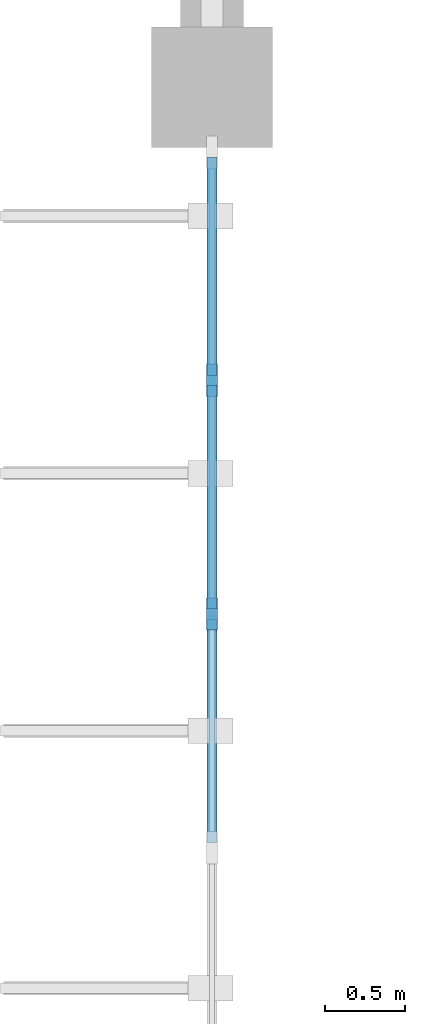
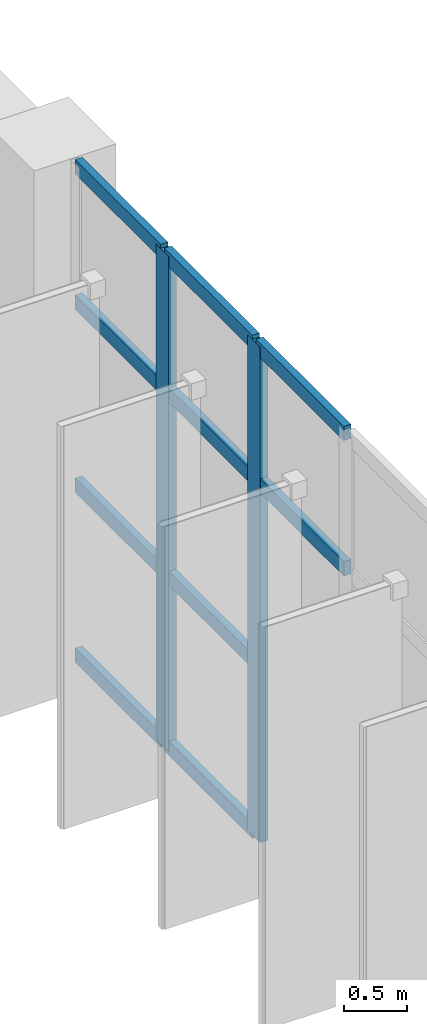
# One storey, part 15 of 93: 12 members, 1 element without a shape of its own.
"""IFC4 building model written with IfcOpenShell, lengths in metres."""

from ifc_helpers import new_model, si_unit, direction, frame, origin, origin_2d, place, context, subcontext, project, spatial, rectangle, extrude, material, layer, layer_set, material_profile, profile_set, type_object, element, aggregate, save


model = new_model("IFC4")

# Units and contexts
model_context = context("Model", 3, precision=1e-05, world=origin(), true_north=direction((0.0, 1.0)))
body_context = subcontext(model_context, "Body", "Model", "MODEL_VIEW")
ifc_project = project(units=[si_unit("LENGTHUNIT", "METRE"), si_unit("AREAUNIT", "SQUARE_METRE"), si_unit("VOLUMEUNIT", "CUBIC_METRE"), si_unit("PLANEANGLEUNIT", "RADIAN"), si_unit("MASSUNIT", "GRAM", prefix="KILO")], contexts=[model_context])

# Site, building, storey
site_placement = place(None, origin())
site = spatial("IfcSite", under=ifc_project, at=site_placement, CompositionType="ELEMENT")
building_placement = place(site_placement, origin())
building = spatial("IfcBuilding", under=site, at=building_placement, Name="Drelvana Railside Aquatics Centre", CompositionType="ELEMENT")
storey_placement = place(building_placement, frame((0.0, 0.0, 5.39990234375)))
storey = spatial("IfcBuildingStorey", under=building, at=storey_placement, Name="L01", CompositionType="ELEMENT", Elevation=5.39990234375)

# Curtain wall, members
ifc_material_1 = material(Name="Bronze-anodised aluminium curtain wall", Category="aluminium")
ifc_layer = layer(ifc_material_1, 0.179931640625, Name="Bronze-anodised aluminium curtain wall")
ifc_layer_set = layer_set([ifc_layer], Name="Bronze-anodised aluminium curtain wall")
curtain_wall_type = type_object("IfcCurtainWallType", Name="CW-Z2-CLER", PredefinedType="NOTDEFINED", material=ifc_layer_set)
curtain_wall_placement = place(storey_placement, origin())
curtain_wall = element("IfcCurtainWall", 1, at=curtain_wall_placement, inside=storey, type_object=curtain_wall_type, Name="Curtain wall CW-02-051", PredefinedType="NOTDEFINED")
ifc_material_2 = material(Name="Bronze-anodised aluminium 6063-T6", Category="aluminium")
ifc_material_profile_1 = material_profile(ifc_material_2, rectangle(XDim=0.070068359375, YDim=0.199951171875, at=origin_2d()), Name="ALU-M 70x200")
ifc_profile_set_1 = profile_set([ifc_material_profile_1], Name="Bronze-anodised aluminium 6063-T6")
member_type_1 = type_object("IfcMemberType", Name="CW-Z2-CLER-MUL", PredefinedType="MULLION", material=ifc_profile_set_1)
member_1_placement = place(storey_placement, frame((0.0, 60.726318359375, -0.005859375), z_axis=(0.0, 0.0, 1.0), x_axis=(-1.0, 0.0, 0.0)))
member_1 = element("IfcMember", 2, at=member_1_placement, type_object=member_type_1, Name="CW-02 mullion 4", PredefinedType="MULLION", context=body_context, shape_type="SweptSolid", body=[
    extrude(rectangle(XDim=0.070068359375, YDim=0.199951171875, at=origin_2d()), origin(), (0.0, 0.0, 1.0), 4.7958984375),
])
member_2_placement = place(storey_placement, frame((0.0, 62.1787109375, -0.005859375), z_axis=(0.0, 0.0, 1.0), x_axis=(-1.0, 0.0, 0.0)))
member_2 = element("IfcMember", 3, at=member_2_placement, type_object=member_type_1, Name="CW-02 mullion 5", PredefinedType="MULLION", context=body_context, shape_type="SweptSolid", body=[
    extrude(rectangle(XDim=0.070068359375, YDim=0.199951171875, at=origin_2d()), origin(), (0.0, 0.0, 1.0), 4.7958984375),
])
ifc_material_profile_2 = material_profile(ifc_material_2, rectangle(XDim=0.139892578125, YDim=0.06494140625, at=origin_2d()), Name="ALU-T 65x140")
ifc_profile_set_2 = profile_set([ifc_material_profile_2], Name="Bronze-anodised aluminium 6063-T6")
member_type_2 = type_object("IfcMemberType", Name="CW-Z2-CLER-TRN", PredefinedType="USERDEFINED", material=ifc_profile_set_2)
member_3_placement = place(storey_placement, frame((0.0, 59.3037109375, 3.447021484375), z_axis=(0.0, 1.0, 0.0), x_axis=(0.0, 0.0, 1.0)))
member_3 = element("IfcMember", 4, at=member_3_placement, type_object=member_type_2, Name="CW-02 transom 3.3", ObjectType="TRANSOM", PredefinedType="USERDEFINED", context=body_context, shape_type="SweptSolid", body=[
    extrude(rectangle(XDim=0.139892578125, YDim=0.06494140625, at=origin_2d()), origin(), (0.0, 0.0, 1.0), 1.392578125),
])
member_4_placement = place(storey_placement, frame((0.0, 59.3037109375, 4.757568359375), z_axis=(0.0, 1.0, 0.0), x_axis=(0.0, 0.0, 1.0)))
member_4 = element("IfcMember", 5, at=member_4_placement, type_object=member_type_2, Name="CW-02 transom 3.4", ObjectType="TRANSOM", PredefinedType="USERDEFINED", context=body_context, shape_type="SweptSolid", body=[
    extrude(rectangle(XDim=0.139892578125, YDim=0.06494140625, at=origin_2d()), origin(), (0.0, 0.0, 1.0), 1.392578125),
])
member_5_placement = place(storey_placement, frame((0.0, 60.756103515625, 0.026611328125), z_axis=(0.0, 1.0, 0.0), x_axis=(0.0, 0.0, 1.0)))
member_5 = element("IfcMember", 6, at=member_5_placement, type_object=member_type_2, Name="CW-02 transom 4.1", ObjectType="TRANSOM", PredefinedType="USERDEFINED", context=body_context, shape_type="SweptSolid", body=[
    extrude(rectangle(XDim=0.139892578125, YDim=0.06494140625, at=origin_2d()), origin(), (0.0, 0.0, 1.0), 1.392578125),
])
member_6_placement = place(storey_placement, frame((0.0, 60.756103515625, 1.673095703125), z_axis=(0.0, 1.0, 0.0), x_axis=(0.0, 0.0, 1.0)))
member_6 = element("IfcMember", 7, at=member_6_placement, type_object=member_type_2, Name="CW-02 transom 4.2", ObjectType="TRANSOM", PredefinedType="USERDEFINED", context=body_context, shape_type="SweptSolid", body=[
    extrude(rectangle(XDim=0.139892578125, YDim=0.06494140625, at=origin_2d()), origin(), (0.0, 0.0, 1.0), 1.392578125),
])
member_7_placement = place(storey_placement, frame((0.0, 60.756103515625, 3.447021484375), z_axis=(0.0, 1.0, 0.0), x_axis=(0.0, 0.0, 1.0)))
member_7 = element("IfcMember", 8, at=member_7_placement, type_object=member_type_2, Name="CW-02 transom 4.3", ObjectType="TRANSOM", PredefinedType="USERDEFINED", context=body_context, shape_type="SweptSolid", body=[
    extrude(rectangle(XDim=0.139892578125, YDim=0.06494140625, at=origin_2d()), origin(), (0.0, 0.0, 1.0), 1.392578125),
])
member_8_placement = place(storey_placement, frame((0.0, 60.756103515625, 4.757568359375), z_axis=(0.0, 1.0, 0.0), x_axis=(0.0, 0.0, 1.0)))
member_8 = element("IfcMember", 9, at=member_8_placement, type_object=member_type_2, Name="CW-02 transom 4.4", ObjectType="TRANSOM", PredefinedType="USERDEFINED", context=body_context, shape_type="SweptSolid", body=[
    extrude(rectangle(XDim=0.139892578125, YDim=0.06494140625, at=origin_2d()), origin(), (0.0, 0.0, 1.0), 1.392578125),
])
member_9_placement = place(storey_placement, frame((0.0, 62.20849609375, 0.026611328125), z_axis=(0.0, 1.0, 0.0), x_axis=(0.0, 0.0, 1.0)))
member_9 = element("IfcMember", 10, at=member_9_placement, type_object=member_type_2, Name="CW-02 transom 5.1", ObjectType="TRANSOM", PredefinedType="USERDEFINED", context=body_context, shape_type="SweptSolid", body=[
    extrude(rectangle(XDim=0.139892578125, YDim=0.06494140625, at=origin_2d()), origin(), (0.0, 0.0, 1.0), 1.357421875),
])
member_10_placement = place(storey_placement, frame((0.0, 62.20849609375, 1.673095703125), z_axis=(0.0, 1.0, 0.0), x_axis=(0.0, 0.0, 1.0)))
member_10 = element("IfcMember", 11, at=member_10_placement, type_object=member_type_2, Name="CW-02 transom 5.2", ObjectType="TRANSOM", PredefinedType="USERDEFINED", context=body_context, shape_type="SweptSolid", body=[
    extrude(rectangle(XDim=0.139892578125, YDim=0.06494140625, at=origin_2d()), origin(), (0.0, 0.0, 1.0), 1.357421875),
])
member_11_placement = place(storey_placement, frame((0.0, 62.20849609375, 3.447021484375), z_axis=(0.0, 1.0, 0.0), x_axis=(0.0, 0.0, 1.0)))
member_11 = element("IfcMember", 12, at=member_11_placement, type_object=member_type_2, Name="CW-02 transom 5.3", ObjectType="TRANSOM", PredefinedType="USERDEFINED", context=body_context, shape_type="SweptSolid", body=[
    extrude(rectangle(XDim=0.139892578125, YDim=0.06494140625, at=origin_2d()), origin(), (0.0, 0.0, 1.0), 1.357421875),
])
member_12_placement = place(storey_placement, frame((0.0, 62.20849609375, 4.757568359375), z_axis=(0.0, 1.0, 0.0), x_axis=(0.0, 0.0, 1.0)))
member_12 = element("IfcMember", 13, at=member_12_placement, type_object=member_type_2, Name="CW-02 transom 5.4", ObjectType="TRANSOM", PredefinedType="USERDEFINED", context=body_context, shape_type="SweptSolid", body=[
    extrude(rectangle(XDim=0.139892578125, YDim=0.06494140625, at=origin_2d()), origin(), (0.0, 0.0, 1.0), 1.357421875),
])
aggregate(curtain_wall, [member_1, member_2, member_3, member_4, member_5, member_6, member_7, member_8, member_9, member_10, member_11, member_12])

save(model, "model.ifc")
